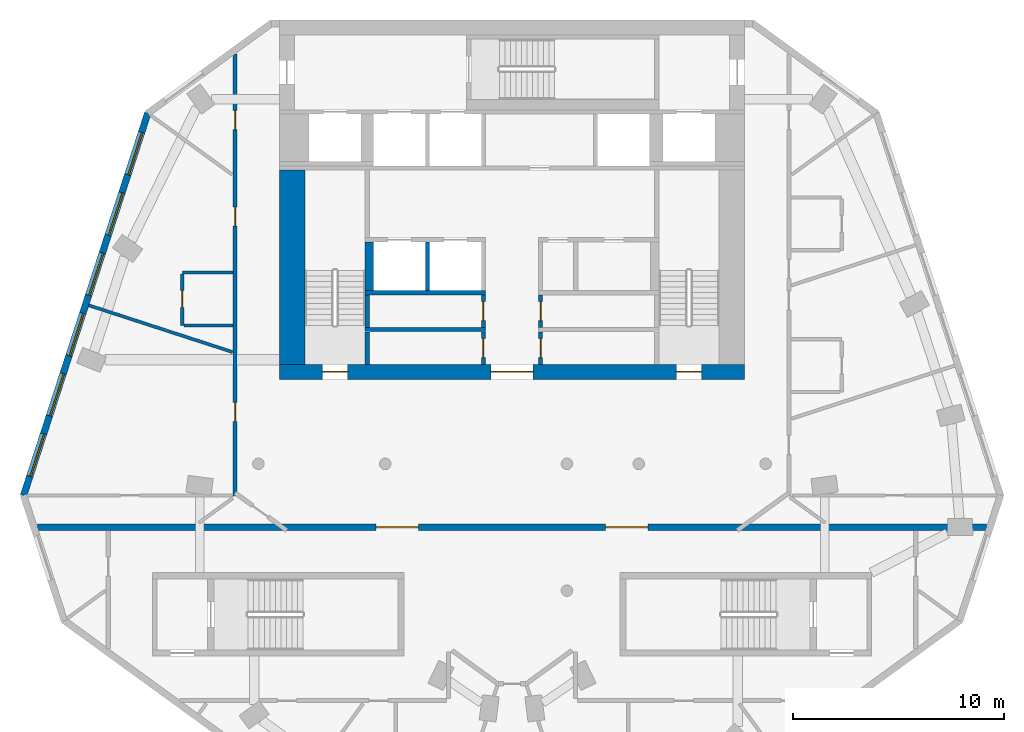
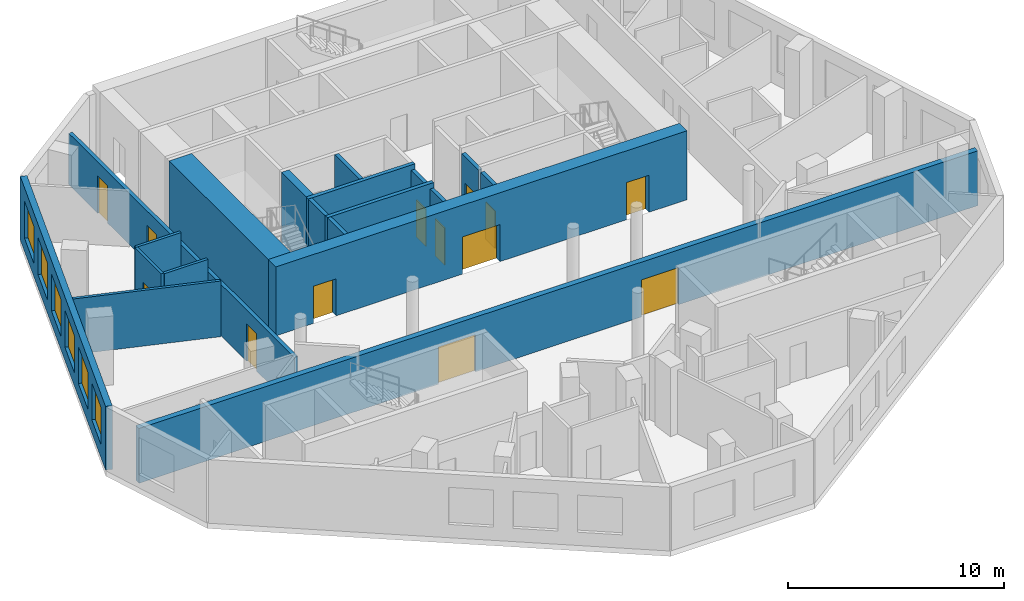
# One storey, part 3 of 8: 19 walls, 13 doors, 6 windows, 19 openings.
"""IFC4 building model written with IfcOpenShell, lengths in metres."""

from ifc_helpers import new_model, si_unit, direction, frame, frame_2d, origin, place, context, subcontext, project, spatial, rectangle, extrude, material, layer, layer_set, type_object, element, fill, save


model = new_model("IFC4")

# Units and contexts
model_context = context("Model", 3, precision=1e-05, world=origin(), true_north=direction((0.0, 1.0)))
body_context = subcontext(model_context, "Body", "Model", "MODEL_VIEW")
ifc_project = project(units=[si_unit("LENGTHUNIT", "METRE"), si_unit("AREAUNIT", "SQUARE_METRE"), si_unit("VOLUMEUNIT", "CUBIC_METRE"), si_unit("PLANEANGLEUNIT", "RADIAN"), si_unit("MASSUNIT", "GRAM", prefix="KILO")], contexts=[model_context])

# Site, building, storey
site_placement = place(None, origin())
site = spatial("IfcSite", under=ifc_project, at=site_placement, CompositionType="ELEMENT")
building_placement = place(site_placement, origin())
building = spatial("IfcBuilding", under=site, at=building_placement, Name="White Candle Pilgrim Tower", CompositionType="ELEMENT")
storey_placement = place(building_placement, frame((0.0, 0.0, 279.5)))
storey = spatial("IfcBuildingStorey", under=building, at=storey_placement, Name="L66", CompositionType="ELEMENT", Elevation=279.5)

# Wall, openings, doors
ifc_material_1 = material(Name="Gypsum board on steel studs", Category="steel")
ifc_layer_1 = layer(ifc_material_1, 0.199951171875)
ifc_layer_set_1 = layer_set([ifc_layer_1], Name="Corridor wall 200 mm EI 45")
wall_type_1 = type_object("IfcWallType", Name="Corridor wall 200 mm EI 45", PredefinedType="PARTITIONING", material=ifc_layer_set_1)
wall_1_placement = place(storey_placement, frame((56.89990234375, 65.476806640625, 0.0), z_axis=(0.0, 0.0, 1.0), x_axis=(0.0, 1.0, 0.0)))
wall_1 = element("IfcWall", 1, at=wall_1_placement, inside=storey, type_object=wall_type_1, Name="WL-L66-P003", PredefinedType="PARTITIONING", context=body_context, shape_type="SweptSolid", body=[
    extrude(rectangle(XDim=20.91943359375, YDim=0.199951171875, at=frame_2d((10.459716796875, 0.0))), origin(), (0.0, 0.0, 1.0), 2.89990234375),
])
opening_1_placement = place(wall_1_placement, frame((3.533935546875, 0.0, 0.0)))
opening_1 = element("IfcOpeningElement", 2, at=opening_1_placement, cuts=wall_1, Name="Opening T20-114", PredefinedType="OPENING", context=body_context, shape_type="SweptSolid", body=[
    extrude(rectangle(XDim=0.89990234375, YDim=2.10009765625, at=frame_2d((0.449951171875, 1.050048828125))), frame((0.0, 0.10986328125, 0.0), z_axis=(0.0, -1.0, 0.0), x_axis=(1.0, 0.0, 0.0)), (0.0, 0.0, 1.0), 0.219970703125),
])
opening_2_placement = place(wall_1_placement, frame((12.76806640625, 0.0, 0.0)))
opening_2 = element("IfcOpeningElement", 3, at=opening_2_placement, cuts=wall_1, Name="Opening T20-115", PredefinedType="OPENING", context=body_context, shape_type="SweptSolid", body=[
    extrude(rectangle(XDim=0.89990234375, YDim=2.10009765625, at=frame_2d((0.449951171875, 1.050048828125))), frame((0.0, 0.10986328125, 0.0), z_axis=(0.0, -1.0, 0.0), x_axis=(1.0, 0.0, 0.0)), (0.0, 0.0, 1.0), 0.219970703125),
])
opening_3_placement = place(wall_1_placement, frame((17.331298828125, 0.0, 0.0)))
opening_3 = element("IfcOpeningElement", 4, at=opening_3_placement, cuts=wall_1, Name="Opening T20-116", PredefinedType="OPENING", context=body_context, shape_type="SweptSolid", body=[
    extrude(rectangle(XDim=0.89990234375, YDim=2.10009765625, at=frame_2d((0.449951171875, 1.050048828125))), frame((0.0, 0.10986328125, 0.0), z_axis=(0.0, -1.0, 0.0), x_axis=(1.0, 0.0, 0.0)), (0.0, 0.0, 1.0), 0.219970703125),
])
ifc_material_2 = material(Name="Steel door leaf", Category="steel")
door_type_1 = type_object("IfcDoorType", Name="Fire door 900 x 2100 EI 30", OperationType="NOTDEFINED", PredefinedType="DOOR", material=ifc_material_2)
door_1_placement = place(opening_1_placement, origin())
door_1 = element("IfcDoor", 5, at=door_1_placement, inside=storey, type_object=door_type_1, Name="Door T20-114", OperationType="SINGLE_SWING_RIGHT", OverallHeight=2.10009765625, OverallWidth=0.89990234375, PredefinedType="DOOR", context=body_context, shape_type="SweptSolid", body=[
    extrude(rectangle(XDim=0.89990234375, YDim=2.10009765625, at=frame_2d((0.449951171875, 1.050048828125))), frame((0.0, 0.02490234375, 0.0), z_axis=(0.0, -1.0, 0.0), x_axis=(1.0, 0.0, 0.0)), (0.0, 0.0, 1.0), 0.050048828125),
])
fill(opening_1, door_1)
door_2_placement = place(opening_2_placement, origin())
door_2 = element("IfcDoor", 6, at=door_2_placement, inside=storey, type_object=door_type_1, Name="Door T20-115", OperationType="SINGLE_SWING_LEFT", OverallHeight=2.10009765625, OverallWidth=0.89990234375, PredefinedType="DOOR", context=body_context, shape_type="SweptSolid", body=[
    extrude(rectangle(XDim=0.89990234375, YDim=2.10009765625, at=frame_2d((0.449951171875, 1.050048828125))), frame((0.0, 0.02490234375, 0.0), z_axis=(0.0, -1.0, 0.0), x_axis=(1.0, 0.0, 0.0)), (0.0, 0.0, 1.0), 0.050048828125),
])
fill(opening_2, door_2)
door_3_placement = place(opening_3_placement, origin())
door_3 = element("IfcDoor", 7, at=door_3_placement, inside=storey, type_object=door_type_1, Name="Door T20-116", OperationType="SINGLE_SWING_RIGHT", OverallHeight=2.10009765625, OverallWidth=0.89990234375, PredefinedType="DOOR", context=body_context, shape_type="SweptSolid", body=[
    extrude(rectangle(XDim=0.89990234375, YDim=2.10009765625, at=frame_2d((0.449951171875, 1.050048828125))), frame((0.0, 0.02490234375, 0.0), z_axis=(0.0, -1.0, 0.0), x_axis=(1.0, 0.0, 0.0)), (0.0, 0.0, 1.0), 0.050048828125),
])
fill(opening_3, door_3)

# Wall, openings, windows
ifc_material_3 = material(Name="Precast concrete C40/50", Category="concrete")
ifc_layer_2 = layer(ifc_material_3, 0.320068359375)
ifc_layer_set_2 = layer_set([ifc_layer_2], Name="Facade wall EW1 precast concrete C40/50 pier wall with timber-lined reveals")
wall_type_2 = type_object("IfcWallType", Name="Facade wall EW1 precast concrete C40/50 pier wall with timber-lined reveals", PredefinedType="SOLIDWALL", material=ifc_layer_set_2)
wall_2_placement = place(storey_placement, frame((52.765625, 83.590087890625, 0.0), z_axis=(0.0, 0.0, 1.0), x_axis=(-0.309027135181, -0.951053221288, 0.0)))
wall_2 = element("IfcWall", 8, at=wall_2_placement, inside=storey, type_object=wall_type_2, Name="Facade wall L66 WNW", PredefinedType="SOLIDWALL", context=body_context, shape_type="SweptSolid", body=[
    extrude(rectangle(XDim=19.014404296875, YDim=0.320068359375, at=frame_2d((9.50732421875, 0.0))), origin(), (0.0, 0.0, 1.0), 3.60009765625),
])
opening_4_placement = place(wall_2_placement, frame((0.957275390625, 0.0, 0.75)))
opening_4 = element("IfcOpeningElement", 9, at=opening_4_placement, cuts=wall_2, Name="Opening W3", PredefinedType="OPENING", context=body_context, shape_type="SweptSolid", body=[
    extrude(rectangle(XDim=2.10009765625, YDim=2.10009765625, at=frame_2d((1.050048828125, 1.050048828125))), frame((0.0, 0.169921875, 0.0), z_axis=(0.0, -1.0, 0.0), x_axis=(1.0, 0.0, 0.0)), (0.0, 0.0, 1.0), 0.340087890625),
])
opening_5_placement = place(wall_2_placement, frame((3.957275390625, 0.0, 0.75)))
opening_5 = element("IfcOpeningElement", 10, at=opening_5_placement, cuts=wall_2, Name="Opening W3", PredefinedType="OPENING", context=body_context, shape_type="SweptSolid", body=[
    extrude(rectangle(XDim=2.10009765625, YDim=2.10009765625, at=frame_2d((1.050048828125, 1.050048828125))), frame((0.0, 0.169921875, 0.0), z_axis=(0.0, -1.0, 0.0), x_axis=(1.0, 0.0, 0.0)), (0.0, 0.0, 1.0), 0.340087890625),
])
opening_6_placement = place(wall_2_placement, frame((6.957275390625, 0.0, 0.75)))
opening_6 = element("IfcOpeningElement", 11, at=opening_6_placement, cuts=wall_2, Name="Opening W3", PredefinedType="OPENING", context=body_context, shape_type="SweptSolid", body=[
    extrude(rectangle(XDim=2.10009765625, YDim=2.10009765625, at=frame_2d((1.050048828125, 1.050048828125))), frame((0.0, 0.169921875, 0.0), z_axis=(0.0, -1.0, 0.0), x_axis=(1.0, 0.0, 0.0)), (0.0, 0.0, 1.0), 0.340087890625),
])
opening_7_placement = place(wall_2_placement, frame((9.957275390625, 0.0, 0.75)))
opening_7 = element("IfcOpeningElement", 12, at=opening_7_placement, cuts=wall_2, Name="Opening W3", PredefinedType="OPENING", context=body_context, shape_type="SweptSolid", body=[
    extrude(rectangle(XDim=2.10009765625, YDim=2.10009765625, at=frame_2d((1.050048828125, 1.050048828125))), frame((0.0, 0.169921875, 0.0), z_axis=(0.0, -1.0, 0.0), x_axis=(1.0, 0.0, 0.0)), (0.0, 0.0, 1.0), 0.340087890625),
])
opening_8_placement = place(wall_2_placement, frame((12.957275390625, 0.0, 0.75)))
opening_8 = element("IfcOpeningElement", 13, at=opening_8_placement, cuts=wall_2, Name="Opening W3", PredefinedType="OPENING", context=body_context, shape_type="SweptSolid", body=[
    extrude(rectangle(XDim=2.10009765625, YDim=2.10009765625, at=frame_2d((1.050048828125, 1.050048828125))), frame((0.0, 0.169921875, 0.0), z_axis=(0.0, -1.0, 0.0), x_axis=(1.0, 0.0, 0.0)), (0.0, 0.0, 1.0), 0.340087890625),
])
opening_9_placement = place(wall_2_placement, frame((15.957275390625, 0.0, 0.75)))
opening_9 = element("IfcOpeningElement", 14, at=opening_9_placement, cuts=wall_2, Name="Opening W3", PredefinedType="OPENING", context=body_context, shape_type="SweptSolid", body=[
    extrude(rectangle(XDim=2.10009765625, YDim=2.10009765625, at=frame_2d((1.050048828125, 1.050048828125))), frame((0.0, 0.169921875, 0.0), z_axis=(0.0, -1.0, 0.0), x_axis=(1.0, 0.0, 0.0)), (0.0, 0.0, 1.0), 0.340087890625),
])
ifc_material_4 = material(Name="Timber frame with triple glazing", Category="wood")
window_type = type_object("IfcWindowType", Name="Window W3 2100x2100 timber frame triple glazing", PartitioningType="SINGLE_PANEL", PredefinedType="WINDOW", material=ifc_material_4)
window_1_placement = place(opening_4_placement, origin())
window_1 = element("IfcWindow", 15, at=window_1_placement, inside=storey, type_object=window_type, Name="Window W3 L66 WNW 1", OverallHeight=2.10009765625, OverallWidth=2.10009765625, PartitioningType="SINGLE_PANEL", PredefinedType="WINDOW", context=body_context, shape_type="SweptSolid", body=[
    extrude(rectangle(XDim=2.10009765625, YDim=2.10009765625, at=frame_2d((1.050048828125, 1.050048828125))), frame((0.0, 0.070068359375, 0.0), z_axis=(0.0, -1.0, 0.0), x_axis=(1.0, 0.0, 0.0)), (0.0, 0.0, 1.0), 0.06005859375),
])
fill(opening_4, window_1)
window_2_placement = place(opening_5_placement, origin())
window_2 = element("IfcWindow", 16, at=window_2_placement, inside=storey, type_object=window_type, Name="Window W3 L66 WNW 2", OverallHeight=2.10009765625, OverallWidth=2.10009765625, PartitioningType="SINGLE_PANEL", PredefinedType="WINDOW", context=body_context, shape_type="SweptSolid", body=[
    extrude(rectangle(XDim=2.10009765625, YDim=2.10009765625, at=frame_2d((1.050048828125, 1.050048828125))), frame((0.0, 0.070068359375, 0.0), z_axis=(0.0, -1.0, 0.0), x_axis=(1.0, 0.0, 0.0)), (0.0, 0.0, 1.0), 0.06005859375),
])
fill(opening_5, window_2)
window_3_placement = place(opening_6_placement, origin())
window_3 = element("IfcWindow", 17, at=window_3_placement, inside=storey, type_object=window_type, Name="Window W3 L66 WNW 3", OverallHeight=2.10009765625, OverallWidth=2.10009765625, PartitioningType="SINGLE_PANEL", PredefinedType="WINDOW", context=body_context, shape_type="SweptSolid", body=[
    extrude(rectangle(XDim=2.10009765625, YDim=2.10009765625, at=frame_2d((1.050048828125, 1.050048828125))), frame((0.0, 0.070068359375, 0.0), z_axis=(0.0, -1.0, 0.0), x_axis=(1.0, 0.0, 0.0)), (0.0, 0.0, 1.0), 0.06005859375),
])
fill(opening_6, window_3)
window_4_placement = place(opening_7_placement, origin())
window_4 = element("IfcWindow", 18, at=window_4_placement, inside=storey, type_object=window_type, Name="Window W3 L66 WNW 4", OverallHeight=2.10009765625, OverallWidth=2.10009765625, PartitioningType="SINGLE_PANEL", PredefinedType="WINDOW", context=body_context, shape_type="SweptSolid", body=[
    extrude(rectangle(XDim=2.10009765625, YDim=2.10009765625, at=frame_2d((1.050048828125, 1.050048828125))), frame((0.0, 0.070068359375, 0.0), z_axis=(0.0, -1.0, 0.0), x_axis=(1.0, 0.0, 0.0)), (0.0, 0.0, 1.0), 0.06005859375),
])
fill(opening_7, window_4)
window_5_placement = place(opening_8_placement, origin())
window_5 = element("IfcWindow", 19, at=window_5_placement, inside=storey, type_object=window_type, Name="Window W3 L66 WNW 5", OverallHeight=2.10009765625, OverallWidth=2.10009765625, PartitioningType="SINGLE_PANEL", PredefinedType="WINDOW", context=body_context, shape_type="SweptSolid", body=[
    extrude(rectangle(XDim=2.10009765625, YDim=2.10009765625, at=frame_2d((1.050048828125, 1.050048828125))), frame((0.0, 0.070068359375, 0.0), z_axis=(0.0, -1.0, 0.0), x_axis=(1.0, 0.0, 0.0)), (0.0, 0.0, 1.0), 0.06005859375),
])
fill(opening_8, window_5)
window_6_placement = place(opening_9_placement, origin())
window_6 = element("IfcWindow", 20, at=window_6_placement, inside=storey, type_object=window_type, Name="Window W3 L66 WNW 6", OverallHeight=2.10009765625, OverallWidth=2.10009765625, PartitioningType="SINGLE_PANEL", PredefinedType="WINDOW", context=body_context, shape_type="SweptSolid", body=[
    extrude(rectangle(XDim=2.10009765625, YDim=2.10009765625, at=frame_2d((1.050048828125, 1.050048828125))), frame((0.0, 0.070068359375, 0.0), z_axis=(0.0, -1.0, 0.0), x_axis=(1.0, 0.0, 0.0)), (0.0, 0.0, 1.0), 0.06005859375),
])
fill(opening_9, window_6)

# Wall, openings, doors
ifc_material_5 = material(Name="Aerated concrete block", Category="concrete")
ifc_layer_3 = layer(ifc_material_5, 0.300048828125)
ifc_layer_set_3 = layer_set([ifc_layer_3], Name="Fire wall 300 mm REI 240")
wall_type_3 = type_object("IfcWallType", Name="Fire wall 300 mm REI 240", PredefinedType="PARTITIONING", material=ifc_layer_set_3)
wall_3_placement = place(storey_placement, frame((47.54736328125, 64.0, 0.0), z_axis=(0.0, 0.0, 1.0), x_axis=(1.0, 0.0, 0.0)))
wall_3 = element("IfcWall", 21, at=wall_3_placement, inside=storey, type_object=wall_type_3, Name="WL-L66-P001", PredefinedType="PARTITIONING", context=body_context, shape_type="SweptSolid", body=[
    extrude(rectangle(XDim=44.9052734375, YDim=0.300048828125, at=frame_2d((22.45263671875, 0.0))), origin(), (0.0, 0.0, 1.0), 3.10009765625),
])
opening_10_placement = place(wall_3_placement, frame((16.0205078125, 0.0, 0.0)))
opening_10 = element("IfcOpeningElement", 22, at=opening_10_placement, cuts=wall_3, Name="Opening T20-111", PredefinedType="OPENING", context=body_context, shape_type="SweptSolid", body=[
    extrude(rectangle(XDim=2.0, YDim=2.10009765625, at=frame_2d((1.0, 1.050048828125))), frame((0.0, 0.159912109375, 0.0), z_axis=(0.0, -1.0, 0.0), x_axis=(1.0, 0.0, 0.0)), (0.0, 0.0, 1.0), 0.320068359375),
])
opening_11_placement = place(wall_3_placement, frame((26.884765625, 0.0, 0.0)))
opening_11 = element("IfcOpeningElement", 23, at=opening_11_placement, cuts=wall_3, Name="Opening T20-112", PredefinedType="OPENING", context=body_context, shape_type="SweptSolid", body=[
    extrude(rectangle(XDim=2.0, YDim=2.10009765625, at=frame_2d((1.0, 1.050048828125))), frame((0.0, 0.159912109375, 0.0), z_axis=(0.0, -1.0, 0.0), x_axis=(1.0, 0.0, 0.0)), (0.0, 0.0, 1.0), 0.320068359375),
])
door_type_2 = type_object("IfcDoorType", Name="Fire door 2000 x 2100 EI 60", OperationType="NOTDEFINED", PredefinedType="DOOR", material=ifc_material_2)
door_4_placement = place(opening_10_placement, origin())
door_4 = element("IfcDoor", 24, at=door_4_placement, inside=storey, type_object=door_type_2, Name="Door T20-111", OperationType="DOUBLE_DOOR_SINGLE_SWING", OverallHeight=2.10009765625, OverallWidth=2.0, PredefinedType="DOOR", context=body_context, shape_type="SweptSolid", body=[
    extrude(rectangle(XDim=2.0, YDim=2.10009765625, at=frame_2d((1.0, 1.050048828125))), frame((0.0, 0.02490234375, 0.0), z_axis=(0.0, -1.0, 0.0), x_axis=(1.0, 0.0, 0.0)), (0.0, 0.0, 1.0), 0.050048828125),
])
fill(opening_10, door_4)
door_5_placement = place(opening_11_placement, origin())
door_5 = element("IfcDoor", 25, at=door_5_placement, inside=storey, type_object=door_type_2, Name="Door T20-112", OperationType="DOUBLE_DOOR_SINGLE_SWING", OverallHeight=2.10009765625, OverallWidth=2.0, PredefinedType="DOOR", context=body_context, shape_type="SweptSolid", body=[
    extrude(rectangle(XDim=2.0, YDim=2.10009765625, at=frame_2d((1.0, 1.050048828125))), frame((0.0, 0.02490234375, 0.0), z_axis=(0.0, -1.0, 0.0), x_axis=(1.0, 0.0, 0.0)), (0.0, 0.0, 1.0), 0.050048828125),
])
fill(opening_11, door_5)

# Wall, opening, door
ifc_layer_4 = layer(ifc_material_1, 0.199951171875)
ifc_layer_set_4 = layer_set([ifc_layer_4], Name="Lobby wall 200 mm EI 60")
wall_type_4 = type_object("IfcWallType", Name="Lobby wall 200 mm EI 60", PredefinedType="PARTITIONING", material=ifc_layer_set_4)
wall_4_placement = place(storey_placement, frame((68.64990234375, 71.699951171875, 0.0), z_axis=(0.0, 0.0, 1.0), x_axis=(0.0, 1.0, 0.0)))
wall_4 = element("IfcWall", 26, at=wall_4_placement, inside=storey, type_object=wall_type_4, Name="WL-L66-C14", PredefinedType="PARTITIONING", context=body_context, shape_type="SweptSolid", body=[
    extrude(rectangle(XDim=1.550048828125, YDim=0.199951171875, at=frame_2d((0.77490234375, 0.0))), origin(), (0.0, 0.0, 1.0), 3.60009765625),
])
opening_12_placement = place(wall_4_placement, frame((0.324951171875, 0.0, 0.0)))
opening_12 = element("IfcOpeningElement", 27, at=opening_12_placement, cuts=wall_4, Name="Opening T20-005", PredefinedType="OPENING", context=body_context, shape_type="SweptSolid", body=[
    extrude(rectangle(XDim=0.89990234375, YDim=2.10009765625, at=frame_2d((0.449951171875, 1.050048828125))), frame((0.0, 0.10986328125, 0.0), z_axis=(0.0, -1.0, 0.0), x_axis=(1.0, 0.0, 0.0)), (0.0, 0.0, 1.0), 0.219970703125),
])
door_6_placement = place(opening_12_placement, origin())
door_6 = element("IfcDoor", 28, at=door_6_placement, inside=storey, type_object=door_type_1, Name="Door T20-005", OperationType="SINGLE_SWING_LEFT", OverallHeight=2.10009765625, OverallWidth=0.89990234375, PredefinedType="DOOR", context=body_context, shape_type="SweptSolid", body=[
    extrude(rectangle(XDim=0.89990234375, YDim=2.10009765625, at=frame_2d((0.449951171875, 1.050048828125))), frame((0.0, 0.02490234375, 0.0), z_axis=(0.0, -1.0, 0.0), x_axis=(1.0, 0.0, 0.0)), (0.0, 0.0, 1.0), 0.050048828125),
])
fill(opening_12, door_6)

wall_5_placement = place(storey_placement, frame((71.35009765625, 71.699951171875, 0.0), z_axis=(0.0, 0.0, 1.0), x_axis=(0.0, 1.0, 0.0)))
wall_5 = element("IfcWall", 29, at=wall_5_placement, inside=storey, type_object=wall_type_4, Name="WL-L66-C15", PredefinedType="PARTITIONING", context=body_context, shape_type="SweptSolid", body=[
    extrude(rectangle(XDim=1.550048828125, YDim=0.199951171875, at=frame_2d((0.77490234375, 0.0))), origin(), (0.0, 0.0, 1.0), 3.60009765625),
])
opening_13_placement = place(wall_5_placement, frame((0.324951171875, 0.0, 0.0)))
opening_13 = element("IfcOpeningElement", 30, at=opening_13_placement, cuts=wall_5, Name="Opening T20-007", PredefinedType="OPENING", context=body_context, shape_type="SweptSolid", body=[
    extrude(rectangle(XDim=0.89990234375, YDim=2.10009765625, at=frame_2d((0.449951171875, 1.050048828125))), frame((0.0, 0.10986328125, 0.0), z_axis=(0.0, -1.0, 0.0), x_axis=(1.0, 0.0, 0.0)), (0.0, 0.0, 1.0), 0.219970703125),
])
door_7_placement = place(opening_13_placement, origin())
door_7 = element("IfcDoor", 31, at=door_7_placement, inside=storey, type_object=door_type_1, Name="Door T20-007", OperationType="SINGLE_SWING_LEFT", OverallHeight=2.10009765625, OverallWidth=0.89990234375, PredefinedType="DOOR", context=body_context, shape_type="SweptSolid", body=[
    extrude(rectangle(XDim=0.89990234375, YDim=2.10009765625, at=frame_2d((0.449951171875, 1.050048828125))), frame((0.0, 0.02490234375, 0.0), z_axis=(0.0, -1.0, 0.0), x_axis=(1.0, 0.0, 0.0)), (0.0, 0.0, 1.0), 0.050048828125),
])
fill(opening_13, door_7)

wall_6_placement = place(storey_placement, frame((68.64990234375, 73.449951171875, 0.0), z_axis=(0.0, 0.0, 1.0), x_axis=(0.0, 1.0, 0.0)))
wall_6 = element("IfcWall", 32, at=wall_6_placement, inside=storey, type_object=wall_type_4, Name="WL-L66-C21", PredefinedType="PARTITIONING", context=body_context, shape_type="SweptSolid", body=[
    extrude(rectangle(XDim=1.550048828125, YDim=0.199951171875, at=frame_2d((0.77490234375, 0.0))), origin(), (0.0, 0.0, 1.0), 3.60009765625),
])
opening_14_placement = place(wall_6_placement, frame((0.324951171875, 0.0, 0.0)))
opening_14 = element("IfcOpeningElement", 33, at=opening_14_placement, cuts=wall_6, Name="Opening T20-006", PredefinedType="OPENING", context=body_context, shape_type="SweptSolid", body=[
    extrude(rectangle(XDim=0.89990234375, YDim=2.10009765625, at=frame_2d((0.449951171875, 1.050048828125))), frame((0.0, 0.10986328125, 0.0), z_axis=(0.0, -1.0, 0.0), x_axis=(1.0, 0.0, 0.0)), (0.0, 0.0, 1.0), 0.219970703125),
])
door_8_placement = place(opening_14_placement, origin())
door_8 = element("IfcDoor", 34, at=door_8_placement, inside=storey, type_object=door_type_1, Name="Door T20-006", OperationType="SINGLE_SWING_RIGHT", OverallHeight=2.10009765625, OverallWidth=0.89990234375, PredefinedType="DOOR", context=body_context, shape_type="SweptSolid", body=[
    extrude(rectangle(XDim=0.89990234375, YDim=2.10009765625, at=frame_2d((0.449951171875, 1.050048828125))), frame((0.0, 0.02490234375, 0.0), z_axis=(0.0, -1.0, 0.0), x_axis=(1.0, 0.0, 0.0)), (0.0, 0.0, 1.0), 0.050048828125),
])
fill(opening_14, door_8)

wall_7_placement = place(storey_placement, frame((71.35009765625, 73.449951171875, 0.0), z_axis=(0.0, 0.0, 1.0), x_axis=(0.0, 1.0, 0.0)))
wall_7 = element("IfcWall", 35, at=wall_7_placement, inside=storey, type_object=wall_type_4, Name="WL-L66-C22", PredefinedType="PARTITIONING", context=body_context, shape_type="SweptSolid", body=[
    extrude(rectangle(XDim=1.550048828125, YDim=0.199951171875, at=frame_2d((0.77490234375, 0.0))), origin(), (0.0, 0.0, 1.0), 3.60009765625),
])
opening_15_placement = place(wall_7_placement, frame((0.324951171875, 0.0, 0.0)))
opening_15 = element("IfcOpeningElement", 36, at=opening_15_placement, cuts=wall_7, Name="Opening T20-008", PredefinedType="OPENING", context=body_context, shape_type="SweptSolid", body=[
    extrude(rectangle(XDim=0.89990234375, YDim=2.10009765625, at=frame_2d((0.449951171875, 1.050048828125))), frame((0.0, 0.10986328125, 0.0), z_axis=(0.0, -1.0, 0.0), x_axis=(1.0, 0.0, 0.0)), (0.0, 0.0, 1.0), 0.219970703125),
])
door_9_placement = place(opening_15_placement, origin())
door_9 = element("IfcDoor", 37, at=door_9_placement, inside=storey, type_object=door_type_1, Name="Door T20-008", OperationType="SINGLE_SWING_RIGHT", OverallHeight=2.10009765625, OverallWidth=0.89990234375, PredefinedType="DOOR", context=body_context, shape_type="SweptSolid", body=[
    extrude(rectangle(XDim=0.89990234375, YDim=2.10009765625, at=frame_2d((0.449951171875, 1.050048828125))), frame((0.0, 0.02490234375, 0.0), z_axis=(0.0, -1.0, 0.0), x_axis=(1.0, 0.0, 0.0)), (0.0, 0.0, 1.0), 0.050048828125),
])
fill(opening_15, door_9)

# Walls
ifc_layer_5 = layer(ifc_material_1, 0.14990234375)
ifc_layer_set_5 = layer_set([ifc_layer_5], Name="Partition 150 mm EI 60")
wall_type_5 = type_object("IfcWallType", Name="Partition 150 mm EI 60", PredefinedType="PARTITIONING", material=ifc_layer_set_5)
wall_8_placement = place(storey_placement, frame((49.979736328125, 74.498779296875, 0.0), z_axis=(0.0, 0.0, 1.0), x_axis=(0.951057412442, -0.309014236304, 0.0)))
element("IfcWall", 38, at=wall_8_placement, inside=storey, type_object=wall_type_5, Name="WL-L66-P025", PredefinedType="PARTITIONING", context=body_context, shape_type="SweptSolid", body=[
    extrude(rectangle(XDim=7.14697265625, YDim=0.14990234375, at=frame_2d((3.573486328125, 0.0))), origin(), (0.0, 0.0, 1.0), 3.14990234375),
])
wall_9_placement = place(storey_placement, frame((56.800048828125, 76.05029296875, 0.0), z_axis=(0.0, 0.0, 1.0), x_axis=(-1.0, 0.0, 0.0)))
element("IfcWall", 39, at=wall_9_placement, inside=storey, type_object=wall_type_5, Name="WL-L66-P026", PredefinedType="PARTITIONING", context=body_context, shape_type="SweptSolid", body=[
    extrude(rectangle(XDim=2.400146484375, YDim=0.14990234375, at=frame_2d((1.2001953125, 0.0))), origin(), (0.0, 0.0, 1.0), 3.60009765625),
])

# Wall, opening, door
wall_10_placement = place(storey_placement, frame((54.39990234375, 73.55029296875, 0.0), z_axis=(0.0, 0.0, 1.0), x_axis=(0.0, 1.0, 0.0)))
wall_10 = element("IfcWall", 40, at=wall_10_placement, inside=storey, type_object=wall_type_5, Name="WL-L66-P027", PredefinedType="PARTITIONING", context=body_context, shape_type="SweptSolid", body=[
    extrude(rectangle(XDim=2.4248046875, YDim=0.14990234375, at=frame_2d((1.21240234375, 0.0))), origin(), (0.0, 0.0, 1.0), 3.60009765625),
])
opening_16_placement = place(wall_10_placement, frame((0.85009765625, 0.0, 0.0)))
opening_16 = element("IfcOpeningElement", 41, at=opening_16_placement, cuts=wall_10, Name="Opening T20-101", PredefinedType="OPENING", context=body_context, shape_type="SweptSolid", body=[
    extrude(rectangle(XDim=0.800048828125, YDim=2.10009765625, at=frame_2d((0.39990234375, 1.050048828125))), frame((0.0, 0.0849609375, 0.0), z_axis=(0.0, -1.0, 0.0), x_axis=(1.0, 0.0, 0.0)), (0.0, 0.0, 1.0), 0.169921875),
])
door_type_3 = type_object("IfcDoorType", Name="Fire door 800 x 2100 EI 30", OperationType="NOTDEFINED", PredefinedType="DOOR", material=ifc_material_2)
door_10_placement = place(opening_16_placement, origin())
door_10 = element("IfcDoor", 42, at=door_10_placement, inside=storey, type_object=door_type_3, Name="Door T20-101", OperationType="SINGLE_SWING_LEFT", OverallHeight=2.10009765625, OverallWidth=0.800048828125, PredefinedType="DOOR", context=body_context, shape_type="SweptSolid", body=[
    extrude(rectangle(XDim=0.800048828125, YDim=2.10009765625, at=frame_2d((0.39990234375, 1.050048828125))), frame((0.0, 0.02490234375, 0.0), z_axis=(0.0, -1.0, 0.0), x_axis=(1.0, 0.0, 0.0)), (0.0, 0.0, 1.0), 0.050048828125),
])
fill(opening_16, door_10)

# Walls
wall_11_placement = place(storey_placement, frame((56.800048828125, 73.55029296875, 0.0), z_axis=(0.0, 0.0, 1.0), x_axis=(-1.0, 0.0, 0.0)))
element("IfcWall", 43, at=wall_11_placement, inside=storey, type_object=wall_type_5, Name="WL-L66-P028", PredefinedType="PARTITIONING", context=body_context, shape_type="SweptSolid", body=[
    extrude(rectangle(XDim=2.324951171875, YDim=0.14990234375, at=frame_2d((1.16259765625, 0.0))), origin(), (0.0, 0.0, 1.0), 3.60009765625),
])
ifc_material_6 = material(Name="Concrete C50/60", Category="concrete")
ifc_layer_6 = layer(ifc_material_6, 0.199951171875)
ifc_layer_set_6 = layer_set([ifc_layer_6], Name="Shaft wall 200 mm Concrete C50/60")
wall_type_6 = type_object("IfcWallType", Name="Shaft wall 200 mm Concrete C50/60", PredefinedType="SHEAR", material=ifc_layer_set_6)
wall_12_placement = place(storey_placement, frame((66.0, 75.199951171875, 0.0), z_axis=(0.0, 0.0, 1.0), x_axis=(0.0, 1.0, 0.0)))
element("IfcWall", 44, at=wall_12_placement, inside=storey, type_object=wall_type_6, Name="WL-L66-C27", PredefinedType="SHEAR", context=body_context, shape_type="SweptSolid", body=[
    extrude(rectangle(XDim=2.300048828125, YDim=0.199951171875, at=frame_2d((1.14990234375, 0.0))), origin(), (0.0, 0.0, 1.0), 3.89990234375),
])
ifc_layer_7 = layer(ifc_material_6, 1.199951171875)
ifc_layer_set_7 = layer_set([ifc_layer_7], Name="Stair shaft wall 1200 mm Concrete C50/60")
wall_type_7 = type_object("IfcWallType", Name="Stair shaft wall 1200 mm Concrete C50/60", PredefinedType="SHEAR", material=ifc_layer_set_7)
wall_13_placement = place(storey_placement, frame((59.60009765625, 71.699951171875, 0.0), z_axis=(0.0, 0.0, 1.0), x_axis=(0.0, 1.0, 0.0)))
element("IfcWall", 45, at=wall_13_placement, inside=storey, type_object=wall_type_7, Name="WL-L66-C12", PredefinedType="SHEAR", context=body_context, shape_type="SweptSolid", body=[
    extrude(rectangle(XDim=9.199951171875, YDim=1.199951171875, at=frame_2d((4.60009765625, 0.0))), origin(), (0.0, 0.0, 1.0), 3.89990234375),
])
ifc_layer_8 = layer(ifc_material_6, 0.199951171875)
ifc_layer_set_8 = layer_set([ifc_layer_8], Name="Stair shaft wall 200 mm Concrete C50/60")
wall_type_8 = type_object("IfcWallType", Name="Stair shaft wall 200 mm Concrete C50/60", PredefinedType="SHEAR", material=ifc_layer_set_8)
wall_14_placement = place(storey_placement, frame((63.14990234375, 71.699951171875, 0.0), z_axis=(0.0, 0.0, 1.0), x_axis=(0.0, 1.0, 0.0)))
element("IfcWall", 46, at=wall_14_placement, inside=storey, type_object=wall_type_8, Name="WL-L66-C13", PredefinedType="SHEAR", context=body_context, shape_type="SweptSolid", body=[
    extrude(rectangle(XDim=1.550048828125, YDim=0.199951171875, at=frame_2d((0.77490234375, 0.0))), origin(), (0.0, 0.0, 1.0), 3.89990234375),
])
wall_15_placement = place(storey_placement, frame((63.050048828125, 73.35009765625, 0.0), z_axis=(0.0, 0.0, 1.0), x_axis=(1.0, 0.0, 0.0)))
element("IfcWall", 47, at=wall_15_placement, inside=storey, type_object=wall_type_8, Name="WL-L66-C18", PredefinedType="SHEAR", context=body_context, shape_type="SweptSolid", body=[
    extrude(rectangle(XDim=5.699951171875, YDim=0.199951171875, at=frame_2d((2.85009765625, 0.0))), origin(), (0.0, 0.0, 1.0), 3.89990234375),
])
wall_16_placement = place(storey_placement, frame((63.14990234375, 73.449951171875, 0.0), z_axis=(0.0, 0.0, 1.0), x_axis=(0.0, 1.0, 0.0)))
element("IfcWall", 48, at=wall_16_placement, inside=storey, type_object=wall_type_8, Name="WL-L66-C20", PredefinedType="SHEAR", context=body_context, shape_type="SweptSolid", body=[
    extrude(rectangle(XDim=1.550048828125, YDim=0.199951171875, at=frame_2d((0.77490234375, 0.0))), origin(), (0.0, 0.0, 1.0), 3.89990234375),
])
wall_17_placement = place(storey_placement, frame((63.050048828125, 75.10009765625, 0.0), z_axis=(0.0, 0.0, 1.0), x_axis=(1.0, 0.0, 0.0)))
element("IfcWall", 49, at=wall_17_placement, inside=storey, type_object=wall_type_8, Name="WL-L66-C24", PredefinedType="SHEAR", context=body_context, shape_type="SweptSolid", body=[
    extrude(rectangle(XDim=5.699951171875, YDim=0.199951171875, at=frame_2d((2.85009765625, 0.0))), origin(), (0.0, 0.0, 1.0), 3.89990234375),
])
ifc_layer_9 = layer(ifc_material_6, 0.39990234375)
ifc_layer_set_9 = layer_set([ifc_layer_9], Name="Stair shaft wall 400 mm Concrete C50/60")
wall_type_9 = type_object("IfcWallType", Name="Stair shaft wall 400 mm Concrete C50/60", PredefinedType="SHEAR", material=ifc_layer_set_9)
wall_18_placement = place(storey_placement, frame((63.25, 75.199951171875, 0.0), z_axis=(0.0, 0.0, 1.0), x_axis=(0.0, 1.0, 0.0)))
element("IfcWall", 50, at=wall_18_placement, inside=storey, type_object=wall_type_9, Name="WL-L66-C26", PredefinedType="SHEAR", context=body_context, shape_type="SweptSolid", body=[
    extrude(rectangle(XDim=2.300048828125, YDim=0.39990234375, at=frame_2d((1.14990234375, 0.0))), origin(), (0.0, 0.0, 1.0), 3.89990234375),
])

# Wall, openings, doors
ifc_layer_10 = layer(ifc_material_6, 0.699951171875)
ifc_layer_set_10 = layer_set([ifc_layer_10], Name="Stair shaft wall 700 mm Concrete C50/60")
wall_type_10 = type_object("IfcWallType", Name="Stair shaft wall 700 mm Concrete C50/60", PredefinedType="SHEAR", material=ifc_layer_set_10)
wall_19_placement = place(storey_placement, frame((59.0, 71.35009765625, 0.0), z_axis=(0.0, 0.0, 1.0), x_axis=(1.0, 0.0, 0.0)))
wall_19 = element("IfcWall", 51, at=wall_19_placement, inside=storey, type_object=wall_type_10, Name="WL-L66-C11", PredefinedType="SHEAR", context=body_context, shape_type="SweptSolid", body=[
    extrude(rectangle(XDim=22.0, YDim=0.699951171875, at=frame_2d((11.0, 0.0))), origin(), (0.0, 0.0, 1.0), 3.89990234375),
])
opening_17_placement = place(wall_19_placement, frame((2.02490234375, 0.0, 0.0)))
opening_17 = element("IfcOpeningElement", 52, at=opening_17_placement, cuts=wall_19, Name="Opening T20-001", PredefinedType="OPENING", context=body_context, shape_type="SweptSolid", body=[
    extrude(rectangle(XDim=1.199951171875, YDim=2.10009765625, at=frame_2d((0.60009765625, 1.050048828125))), frame((0.0, 0.35986328125, 0.0), z_axis=(0.0, -1.0, 0.0), x_axis=(1.0, 0.0, 0.0)), (0.0, 0.0, 1.0), 0.719970703125),
])
opening_18_placement = place(wall_19_placement, frame((18.77490234375, 0.0, 0.0)))
opening_18 = element("IfcOpeningElement", 53, at=opening_18_placement, cuts=wall_19, Name="Opening T20-002", PredefinedType="OPENING", context=body_context, shape_type="SweptSolid", body=[
    extrude(rectangle(XDim=1.199951171875, YDim=2.10009765625, at=frame_2d((0.60009765625, 1.050048828125))), frame((0.0, 0.35986328125, 0.0), z_axis=(0.0, -1.0, 0.0), x_axis=(1.0, 0.0, 0.0)), (0.0, 0.0, 1.0), 0.719970703125),
])
opening_19_placement = place(wall_19_placement, frame((10.0, 0.0, 0.0)))
opening_19 = element("IfcOpeningElement", 54, at=opening_19_placement, cuts=wall_19, Name="Opening T20-004", PredefinedType="OPENING", context=body_context, shape_type="SweptSolid", body=[
    extrude(rectangle(XDim=2.0, YDim=2.10009765625, at=frame_2d((1.0, 1.050048828125))), frame((0.0, 0.35986328125, 0.0), z_axis=(0.0, -1.0, 0.0), x_axis=(1.0, 0.0, 0.0)), (0.0, 0.0, 1.0), 0.719970703125),
])
door_type_4 = type_object("IfcDoorType", Name="Fire door 1200 x 2100 EI 60", OperationType="NOTDEFINED", PredefinedType="DOOR", material=ifc_material_2)
door_11_placement = place(opening_17_placement, frame((1.199951171875, 0.0, 0.0), z_axis=(0.0, 0.0, 1.0), x_axis=(-1.0, 0.0, 0.0)))
door_11 = element("IfcDoor", 55, at=door_11_placement, inside=storey, type_object=door_type_4, Name="Door T20-001", OperationType="SINGLE_SWING_RIGHT", OverallHeight=2.10009765625, OverallWidth=1.199951171875, PredefinedType="DOOR", context=body_context, shape_type="SweptSolid", body=[
    extrude(rectangle(XDim=1.199951171875, YDim=2.10009765625, at=frame_2d((0.60009765625, 1.050048828125))), frame((0.0, 0.02490234375, 0.0), z_axis=(0.0, -1.0, 0.0), x_axis=(1.0, 0.0, 0.0)), (0.0, 0.0, 1.0), 0.050048828125),
])
fill(opening_17, door_11)
door_12_placement = place(opening_18_placement, frame((1.199951171875, 0.0, 0.0), z_axis=(0.0, 0.0, 1.0), x_axis=(-1.0, 0.0, 0.0)))
door_12 = element("IfcDoor", 56, at=door_12_placement, inside=storey, type_object=door_type_4, Name="Door T20-002", OperationType="SINGLE_SWING_LEFT", OverallHeight=2.10009765625, OverallWidth=1.199951171875, PredefinedType="DOOR", context=body_context, shape_type="SweptSolid", body=[
    extrude(rectangle(XDim=1.199951171875, YDim=2.10009765625, at=frame_2d((0.60009765625, 1.050048828125))), frame((0.0, 0.02490234375, 0.0), z_axis=(0.0, -1.0, 0.0), x_axis=(1.0, 0.0, 0.0)), (0.0, 0.0, 1.0), 0.050048828125),
])
fill(opening_18, door_12)
door_13_placement = place(opening_19_placement, frame((2.0, 0.0, 0.0), z_axis=(0.0, 0.0, 1.0), x_axis=(-1.0, 0.0, 0.0)))
door_13 = element("IfcDoor", 57, at=door_13_placement, inside=storey, type_object=door_type_2, Name="Door T20-004", OperationType="DOUBLE_DOOR_SINGLE_SWING", OverallHeight=2.10009765625, OverallWidth=2.0, PredefinedType="DOOR", context=body_context, shape_type="SweptSolid", body=[
    extrude(rectangle(XDim=2.0, YDim=2.10009765625, at=frame_2d((1.0, 1.050048828125))), frame((0.0, 0.02490234375, 0.0), z_axis=(0.0, -1.0, 0.0), x_axis=(1.0, 0.0, 0.0)), (0.0, 0.0, 1.0), 0.050048828125),
])
fill(opening_19, door_13)

save(model, "model.ifc")
